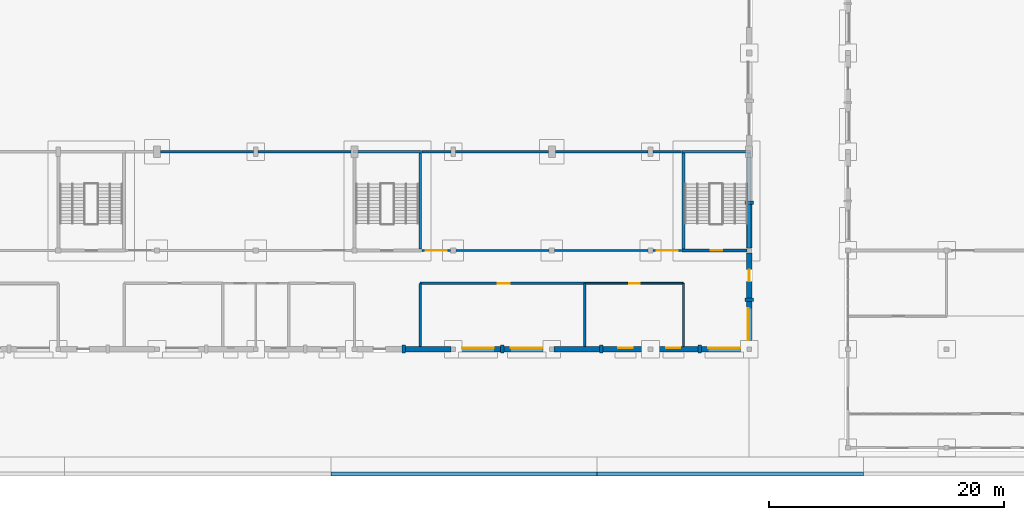
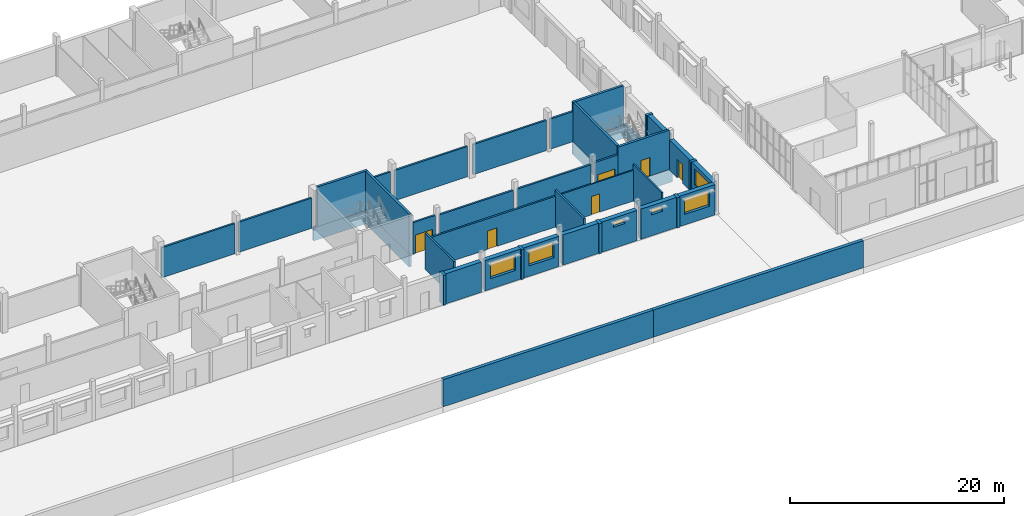
# One storey, part 21 of 36: 44 walls, 6 doors, 6 windows, 12 openings.
"""IFC4 building model written with IfcOpenShell, lengths in metres."""

from ifc_helpers import new_model, si_unit, direction, frame, frame_2d, origin, place, context, subcontext, project, spatial, rectangle, extrude, material, layer, layer_set, type_object, element, fill, save


model = new_model("IFC4")

# Units and contexts
model_context = context("Model", 3, precision=1e-05, world=origin(), true_north=direction((0.0, 1.0)))
body_context = subcontext(model_context, "Body", "Model", "MODEL_VIEW")
ifc_project = project(units=[si_unit("LENGTHUNIT", "METRE"), si_unit("AREAUNIT", "SQUARE_METRE"), si_unit("VOLUMEUNIT", "CUBIC_METRE"), si_unit("PLANEANGLEUNIT", "RADIAN"), si_unit("MASSUNIT", "GRAM", prefix="KILO")], contexts=[model_context])

# Site, building, storey
site_placement = place(None, origin())
site = spatial("IfcSite", under=ifc_project, at=site_placement, CompositionType="ELEMENT")
building_placement = place(site_placement, origin())
building = spatial("IfcBuilding", under=site, at=building_placement, Name="Fescue Hill Polytechnic", CompositionType="ELEMENT")
storey_placement = place(building_placement, origin())
storey = spatial("IfcBuildingStorey", under=building, at=storey_placement, Name="L00", CompositionType="ELEMENT", Elevation=0.0)

# Wall, opening, door
ifc_material_1 = material(Name="Concrete 40 MPa", Category="concrete")
ifc_layer_1 = layer(ifc_material_1, 0.25)
ifc_layer_set_1 = layer_set([ifc_layer_1], Name="Concrete 40 MPa")
wall_type_1 = type_object("IfcWallType", Name="Core wall 250", PredefinedType="SHEAR", material=ifc_layer_set_1)
wall_1_placement = place(storey_placement, frame((111.875, 8.39990234375, 0.0), z_axis=(0.0, 0.0, 1.0), x_axis=(1.0, 0.0, 0.0)))
wall_1 = element("IfcWall", 1, at=wall_1_placement, inside=storey, type_object=wall_type_1, Name="CW-L00-ST-V1-10-11", PredefinedType="SHEAR", context=body_context, shape_type="SweptSolid", body=[
    extrude(rectangle(XDim=5.52490234375, YDim=0.25, at=frame_2d((2.762451171875, 0.0))), origin(), (0.0, 0.0, 1.0), 4.5),
])
opening_1_placement = place(wall_1_placement, frame((2.449951171875, 0.0, 0.0)))
opening_1 = element("IfcOpeningElement", 2, at=opening_1_placement, cuts=wall_1, Name="Opening D0074", PredefinedType="OPENING", context=body_context, shape_type="SweptSolid", body=[
    extrude(rectangle(XDim=1.0, YDim=2.10009765625, at=frame_2d((0.5, 1.050048828125))), frame((0.0, 0.135009765625, 0.0), z_axis=(0.0, -1.0, 0.0), x_axis=(1.0, 0.0, 0.0)), (0.0, 0.0, 1.0), 0.27001953125),
])
ifc_material_2 = material(Name="Steel fire door", Category="steel")
door_type_1 = type_object("IfcDoorType", Name="Door single swing 1000x2100 stair fire rated", OperationType="NOTDEFINED", PredefinedType="DOOR", material=ifc_material_2)
door_1_placement = place(opening_1_placement, origin())
door_1 = element("IfcDoor", 3, at=door_1_placement, inside=storey, type_object=door_type_1, Name="L00 ST-V1-10 stair door", OperationType="SINGLE_SWING_RIGHT", OverallHeight=2.10009765625, OverallWidth=1.0, PredefinedType="DOOR", context=body_context, shape_type="SweptSolid", body=[
    extrude(rectangle(XDim=1.0, YDim=2.10009765625, at=frame_2d((0.5, 1.050048828125))), frame((0.0, 0.02490234375, 0.0), z_axis=(0.0, -1.0, 0.0), x_axis=(1.0, 0.0, 0.0)), (0.0, 0.0, 1.0), 0.050048828125),
])
fill(opening_1, door_1)

# Walls
wall_2_placement = place(storey_placement, frame((111.875, 16.800048828125, 0.0), z_axis=(0.0, 0.0, 1.0), x_axis=(1.0, 0.0, 0.0)))
element("IfcWall", 4, at=wall_2_placement, inside=storey, type_object=wall_type_1, Name="CW-L00-ST-V1-10-21", PredefinedType="SHEAR", context=body_context, shape_type="SweptSolid", body=[
    extrude(rectangle(XDim=5.425048828125, YDim=0.25, at=frame_2d((2.71240234375, 0.0))), origin(), (0.0, 0.0, 1.0), 4.5),
])
wall_3_placement = place(storey_placement, frame((112.0, 8.52490234375, 0.0), z_axis=(0.0, 0.0, 1.0), x_axis=(0.0, 1.0, 0.0)))
element("IfcWall", 5, at=wall_3_placement, inside=storey, type_object=wall_type_1, Name="CW-L00-ST-V1-10-31", PredefinedType="SHEAR", context=body_context, shape_type="SweptSolid", body=[
    extrude(rectangle(XDim=8.150146484375, YDim=0.25, at=frame_2d((4.0751953125, 0.0))), origin(), (0.0, 0.0, 1.0), 4.5),
])
wall_4_placement = place(storey_placement, frame((84.300048828125, 16.800048828125, 0.0), z_axis=(0.0, 0.0, 1.0), x_axis=(1.0, 0.0, 0.0)))
element("IfcWall", 6, at=wall_4_placement, inside=storey, type_object=wall_type_1, Name="CW-L00-ST-V1-4-21", PredefinedType="SHEAR", context=body_context, shape_type="SweptSolid", body=[
    extrude(rectangle(XDim=5.425048828125, YDim=0.25, at=frame_2d((2.71240234375, 0.0))), origin(), (0.0, 0.0, 1.0), 4.5),
])
wall_5_placement = place(storey_placement, frame((89.60009765625, 8.52490234375, 0.0), z_axis=(0.0, 0.0, 1.0), x_axis=(0.0, 1.0, 0.0)))
element("IfcWall", 7, at=wall_5_placement, inside=storey, type_object=wall_type_1, Name="CW-L00-ST-V1-4-41", PredefinedType="SHEAR", context=body_context, shape_type="SweptSolid", body=[
    extrude(rectangle(XDim=8.150146484375, YDim=0.25, at=frame_2d((4.0751953125, 0.0))), origin(), (0.0, 0.0, 1.0), 4.5),
])
for number, where, z_axis, x_axis, name in (
    (8, (111.875, 8.39990234375, -1.5), (0.0, 0.0, 1.0), (1.0, 0.0, 0.0), "FW-ST-V1-10-1"),
    (9, (111.875, 16.800048828125, -1.5), (0.0, 0.0, 1.0), (1.0, 0.0, 0.0), "FW-ST-V1-10-2"),
):
    element("IfcWall", number, at=place(storey_placement, frame(where, z_axis=z_axis, x_axis=x_axis)), inside=storey, type_object=wall_type_1, Name=name, PredefinedType="SHEAR", context=body_context, shape_type="SweptSolid", body=[
        extrude(rectangle(XDim=5.85009765625, YDim=0.25, at=frame_2d((2.925048828125, 0.0))), origin(), (0.0, 0.0, 1.0), 1.5),
    ])
for number, where, z_axis, x_axis, name in (
    (10, (112.0, 8.52490234375, -1.5), (0.0, 0.0, 1.0), (0.0, 1.0, 0.0), "FW-ST-V1-10-3"),
    (11, (117.60009765625, 8.52490234375, -1.5), (0.0, 0.0, 1.0), (0.0, 1.0, 0.0), "FW-ST-V1-10-4"),
):
    element("IfcWall", number, at=place(storey_placement, frame(where, z_axis=z_axis, x_axis=x_axis)), inside=storey, type_object=wall_type_1, Name=name, PredefinedType="SHEAR", context=body_context, shape_type="SweptSolid", body=[
        extrude(rectangle(XDim=8.150146484375, YDim=0.25, at=frame_2d((4.0751953125, 0.0))), origin(), (0.0, 0.0, 1.0), 1.5),
    ])
wall_6_placement = place(storey_placement, frame((83.875, 16.800048828125, -1.5), z_axis=(0.0, 0.0, 1.0), x_axis=(1.0, 0.0, 0.0)))
element("IfcWall", 12, at=wall_6_placement, inside=storey, type_object=wall_type_1, Name="FW-ST-V1-4-2", PredefinedType="SHEAR", context=body_context, shape_type="SweptSolid", body=[
    extrude(rectangle(XDim=5.85009765625, YDim=0.25, at=frame_2d((2.925048828125, 0.0))), origin(), (0.0, 0.0, 1.0), 1.5),
])
wall_7_placement = place(storey_placement, frame((89.60009765625, 8.52490234375, -1.5), z_axis=(0.0, 0.0, 1.0), x_axis=(0.0, 1.0, 0.0)))
element("IfcWall", 13, at=wall_7_placement, inside=storey, type_object=wall_type_1, Name="FW-ST-V1-4-4", PredefinedType="SHEAR", context=body_context, shape_type="SweptSolid", body=[
    extrude(rectangle(XDim=8.150146484375, YDim=0.25, at=frame_2d((4.0751953125, 0.0))), origin(), (0.0, 0.0, 1.0), 1.5),
])

# Wall, opening, door
ifc_material_3 = material(Name="Gypsum board partition")
ifc_layer_2 = layer(ifc_material_3, 0.14990234375)
ifc_layer_set_2 = layer_set([ifc_layer_2], Name="Gypsum board partition")
wall_type_2 = type_object("IfcWallType", Name="Corridor wall 150 EI 45", PredefinedType="PARTITIONING", material=ifc_layer_set_2)
wall_8_placement = place(storey_placement, frame((103.60009765625, 5.60009765625, 0.0), z_axis=(0.0, 0.0, 1.0), x_axis=(1.0, 0.0, 0.0)))
wall_8 = element("IfcWall", 14, at=wall_8_placement, inside=storey, type_object=wall_type_2, Name="IW-L00-003", PredefinedType="PARTITIONING", context=body_context, shape_type="SweptSolid", body=[
    extrude(rectangle(XDim=8.39990234375, YDim=0.14990234375, at=frame_2d((4.199951171875, 0.0))), origin(), (0.0, 0.0, 1.0), 3.5),
])
opening_2_placement = place(wall_8_placement, frame((3.800048828125, 0.0, 0.0)))
opening_2 = element("IfcOpeningElement", 15, at=opening_2_placement, cuts=wall_8, Name="Opening D0037", PredefinedType="OPENING", context=body_context, shape_type="SweptSolid", body=[
    extrude(rectangle(XDim=0.89990234375, YDim=2.10009765625, at=frame_2d((0.449951171875, 1.050048828125))), frame((0.0, 0.0849609375, 0.0), z_axis=(0.0, -1.0, 0.0), x_axis=(1.0, 0.0, 0.0)), (0.0, 0.0, 1.0), 0.169921875),
])
ifc_material_4 = material(Name="Timber", Category="wood")
door_type_2 = type_object("IfcDoorType", Name="Door single swing 900x2100 FD30S", OperationType="SINGLE_SWING_LEFT", PredefinedType="DOOR", material=ifc_material_4)
door_2_placement = place(opening_2_placement, origin())
door_2 = element("IfcDoor", 16, at=door_2_placement, inside=storey, type_object=door_type_2, Name="Door D0037", OperationType="SINGLE_SWING_RIGHT", OverallHeight=2.10009765625, OverallWidth=0.89990234375, PredefinedType="DOOR", context=body_context, shape_type="SweptSolid", body=[
    extrude(rectangle(XDim=0.89990234375, YDim=2.10009765625, at=frame_2d((0.449951171875, 1.050048828125))), frame((0.0, 0.02490234375, 0.0), z_axis=(0.0, -1.0, 0.0), x_axis=(1.0, 0.0, 0.0)), (0.0, 0.0, 1.0), 0.050048828125),
])
fill(opening_2, door_2)

# Wall
wall_9_placement = place(storey_placement, frame((112.0, 0.239990234375, 0.0), z_axis=(0.0, 0.0, 1.0), x_axis=(0.0, 1.0, 0.0)))
element("IfcWall", 17, at=wall_9_placement, inside=storey, type_object=wall_type_2, Name="IW-L00-092", PredefinedType="PARTITIONING", context=body_context, shape_type="SweptSolid", body=[
    extrude(rectangle(XDim=5.360107421875, YDim=0.14990234375, at=frame_2d((2.68017578125, 0.0))), origin(), (0.0, 0.0, 1.0), 4.14990234375),
])

# Wall, opening, window
ifc_material_5 = material(Name="Clay brick masonry", Category="masonry")
ifc_layer_3 = layer(ifc_material_5, 0.47998046875)
ifc_layer_set_3 = layer_set([ifc_layer_3], Name="Clay brick masonry")
wall_type_3 = type_object("IfcWallType", Name="Exterior wall engineering brick cavity 480", PredefinedType="SOLIDWALL", material=ifc_layer_set_3)
wall_10_placement = place(storey_placement, frame((117.60009765625, 0.199951171875, 0.0), z_axis=(0.0, 0.0, 1.0), x_axis=(0.0, 1.0, 0.0)))
wall_10 = element("IfcWall", 18, at=wall_10_placement, inside=storey, type_object=wall_type_3, Name="EW-L00-V1-1", PredefinedType="SOLIDWALL", context=body_context, shape_type="SweptSolid", body=[
    extrude(rectangle(XDim=3.85009765625, YDim=0.47998046875, at=frame_2d((1.925048828125, 0.0))), origin(), (0.0, 0.0, 1.0), 3.449951171875),
])
opening_3_placement = place(wall_10_placement, frame((0.574951171875, 0.0, 1.199951171875)))
opening_3 = element("IfcOpeningElement", 19, at=opening_3_placement, cuts=wall_10, Name="Opening W15", PredefinedType="OPENING", context=body_context, shape_type="SweptSolid", body=[
    extrude(rectangle(XDim=2.699951171875, YDim=1.800048828125, at=frame_2d((1.35009765625, 0.89990234375))), frame((0.0, 0.25, 0.0), z_axis=(0.0, -1.0, 0.0), x_axis=(1.0, 0.0, 0.0)), (0.0, 0.0, 1.0), 0.5),
])
ifc_material_6 = material(Name="Powder-coated aluminium and glass", Category="aluminium")
window_type_1 = type_object("IfcWindowType", Name="Window workshop bench-level 2700x1800", PartitioningType="TRIPLE_PANEL_VERTICAL", PredefinedType="WINDOW", material=ifc_material_6)
window_1_placement = place(opening_3_placement, origin())
window_1 = element("IfcWindow", 20, at=window_1_placement, inside=storey, type_object=window_type_1, Name="WN-L00-V1-1", OverallHeight=1.800048828125, OverallWidth=2.699951171875, PartitioningType="SINGLE_PANEL", PredefinedType="WINDOW", context=body_context, shape_type="SweptSolid", body=[
    extrude(rectangle(XDim=2.699951171875, YDim=1.800048828125, at=frame_2d((1.35009765625, 0.89990234375))), frame((0.0, 0.1201171875, 0.0), z_axis=(0.0, -1.0, 0.0), x_axis=(1.0, 0.0, 0.0)), (0.0, 0.0, 1.0), 0.06005859375),
])
fill(opening_3, window_1)

# Wall, opening, door
wall_11_placement = place(storey_placement, frame((117.60009765625, 4.35009765625, 0.0), z_axis=(0.0, 0.0, 1.0), x_axis=(0.0, 1.0, 0.0)))
wall_11 = element("IfcWall", 21, at=wall_11_placement, inside=storey, type_object=wall_type_3, Name="EW-L00-V1-2", PredefinedType="SOLIDWALL", context=body_context, shape_type="SweptSolid", body=[
    extrude(rectangle(XDim=3.849853515625, YDim=0.47998046875, at=frame_2d((1.9248046875, 0.0))), origin(), (0.0, 0.0, 1.0), 3.449951171875),
])
opening_4_placement = place(wall_11_placement, frame((2.425048828125, 0.0, 0.0), z_axis=(0.0, 0.0, 1.0), x_axis=(-1.0, 0.0, 0.0)))
opening_4 = element("IfcOpeningElement", 22, at=opening_4_placement, cuts=wall_11, Name="Opening D0001", PredefinedType="OPENING", context=body_context, shape_type="SweptSolid", body=[
    extrude(rectangle(XDim=1.0, YDim=2.10009765625, at=frame_2d((0.5, 1.050048828125))), frame((0.0, 0.25, 0.0), z_axis=(0.0, -1.0, 0.0), x_axis=(1.0, 0.0, 0.0)), (0.0, 0.0, 1.0), 0.5),
])
ifc_material_7 = material(Name="Hollow metal")
door_type_3 = type_object("IfcDoorType", Name="Door exit single 1000x2100 fire rated", OperationType="SINGLE_SWING_LEFT", PredefinedType="DOOR", material=ifc_material_7)
door_3_placement = place(opening_4_placement, origin())
door_3 = element("IfcDoor", 23, at=door_3_placement, inside=storey, type_object=door_type_3, Name="Door D0001", OperationType="SINGLE_SWING_LEFT", OverallHeight=2.10009765625, OverallWidth=1.0, PredefinedType="DOOR", context=body_context, shape_type="SweptSolid", body=[
    extrude(rectangle(XDim=1.0, YDim=2.10009765625, at=frame_2d((0.5, 1.050048828125))), frame((0.0, 0.02490234375, 0.0), z_axis=(0.0, -1.0, 0.0), x_axis=(1.0, 0.0, 0.0)), (0.0, 0.0, 1.0), 0.050048828125),
])
fill(opening_4, door_3)

# Wall
wall_12_placement = place(storey_placement, frame((88.35009765625, 0.0, 0.0), z_axis=(0.0, 0.0, 1.0), x_axis=(1.0, 0.0, 0.0)))
element("IfcWall", 24, at=wall_12_placement, inside=storey, type_object=wall_type_3, Name="EW-L00-V1-44", PredefinedType="SOLIDWALL", context=body_context, shape_type="SweptSolid", body=[
    extrude(rectangle(XDim=3.849853515625, YDim=0.47998046875, at=frame_2d((1.9248046875, 0.0))), origin(), (0.0, 0.0, 1.0), 3.449951171875),
])

# Wall, opening, window
wall_13_placement = place(storey_placement, frame((92.60009765625, 0.0, 0.0), z_axis=(0.0, 0.0, 1.0), x_axis=(1.0, 0.0, 0.0)))
wall_13 = element("IfcWall", 25, at=wall_13_placement, inside=storey, type_object=wall_type_3, Name="EW-L00-V1-45", PredefinedType="SOLIDWALL", context=body_context, shape_type="SweptSolid", body=[
    extrude(rectangle(XDim=3.849853515625, YDim=0.47998046875, at=frame_2d((1.9248046875, 0.0))), origin(), (0.0, 0.0, 1.0), 3.449951171875),
])
opening_5_placement = place(wall_13_placement, frame((0.574951171875, 0.0, 1.199951171875)))
opening_5 = element("IfcOpeningElement", 26, at=opening_5_placement, cuts=wall_13, Name="Opening W15", PredefinedType="OPENING", context=body_context, shape_type="SweptSolid", body=[
    extrude(rectangle(XDim=2.699951171875, YDim=1.800048828125, at=frame_2d((1.35009765625, 0.89990234375))), frame((0.0, 0.25, 0.0), z_axis=(0.0, -1.0, 0.0), x_axis=(1.0, 0.0, 0.0)), (0.0, 0.0, 1.0), 0.5),
])
window_2_placement = place(opening_5_placement, origin())
window_2 = element("IfcWindow", 27, at=window_2_placement, inside=storey, type_object=window_type_1, Name="WN-L00-V1-22", OverallHeight=1.800048828125, OverallWidth=2.699951171875, PartitioningType="SINGLE_PANEL", PredefinedType="WINDOW", context=body_context, shape_type="SweptSolid", body=[
    extrude(rectangle(XDim=2.699951171875, YDim=1.800048828125, at=frame_2d((1.35009765625, 0.89990234375))), frame((0.0, 0.1201171875, 0.0), z_axis=(0.0, -1.0, 0.0), x_axis=(1.0, 0.0, 0.0)), (0.0, 0.0, 1.0), 0.06005859375),
])
fill(opening_5, window_2)

wall_14_placement = place(storey_placement, frame((96.75, 0.0, 0.0), z_axis=(0.0, 0.0, 1.0), x_axis=(1.0, 0.0, 0.0)))
wall_14 = element("IfcWall", 28, at=wall_14_placement, inside=storey, type_object=wall_type_3, Name="EW-L00-V1-46", PredefinedType="SOLIDWALL", context=body_context, shape_type="SweptSolid", body=[
    extrude(rectangle(XDim=3.85009765625, YDim=0.47998046875, at=frame_2d((1.925048828125, 0.0))), origin(), (0.0, 0.0, 1.0), 3.449951171875),
])
opening_6_placement = place(wall_14_placement, frame((0.574951171875, 0.0, 1.199951171875)))
opening_6 = element("IfcOpeningElement", 29, at=opening_6_placement, cuts=wall_14, Name="Opening W15", PredefinedType="OPENING", context=body_context, shape_type="SweptSolid", body=[
    extrude(rectangle(XDim=2.699951171875, YDim=1.800048828125, at=frame_2d((1.35009765625, 0.89990234375))), frame((0.0, 0.25, 0.0), z_axis=(0.0, -1.0, 0.0), x_axis=(1.0, 0.0, 0.0)), (0.0, 0.0, 1.0), 0.5),
])
window_3_placement = place(opening_6_placement, origin())
window_3 = element("IfcWindow", 30, at=window_3_placement, inside=storey, type_object=window_type_1, Name="WN-L00-V1-23", OverallHeight=1.800048828125, OverallWidth=2.699951171875, PartitioningType="SINGLE_PANEL", PredefinedType="WINDOW", context=body_context, shape_type="SweptSolid", body=[
    extrude(rectangle(XDim=2.699951171875, YDim=1.800048828125, at=frame_2d((1.35009765625, 0.89990234375))), frame((0.0, 0.1201171875, 0.0), z_axis=(0.0, -1.0, 0.0), x_axis=(1.0, 0.0, 0.0)), (0.0, 0.0, 1.0), 0.06005859375),
])
fill(opening_6, window_3)

# Wall
wall_15_placement = place(storey_placement, frame((101.0, 0.0, 0.0), z_axis=(0.0, 0.0, 1.0), x_axis=(1.0, 0.0, 0.0)))
element("IfcWall", 31, at=wall_15_placement, inside=storey, type_object=wall_type_3, Name="EW-L00-V1-47", PredefinedType="SOLIDWALL", context=body_context, shape_type="SweptSolid", body=[
    extrude(rectangle(XDim=3.85009765625, YDim=0.47998046875, at=frame_2d((1.925048828125, 0.0))), origin(), (0.0, 0.0, 1.0), 3.449951171875),
])

# Wall, opening, window
wall_16_placement = place(storey_placement, frame((105.14990234375, 0.0, 0.0), z_axis=(0.0, 0.0, 1.0), x_axis=(1.0, 0.0, 0.0)))
wall_16 = element("IfcWall", 32, at=wall_16_placement, inside=storey, type_object=wall_type_3, Name="EW-L00-V1-48", PredefinedType="SOLIDWALL", context=body_context, shape_type="SweptSolid", body=[
    extrude(rectangle(XDim=3.85009765625, YDim=0.47998046875, at=frame_2d((1.925048828125, 0.0))), origin(), (0.0, 0.0, 1.0), 3.449951171875),
])
opening_7_placement = place(wall_16_placement, frame((1.324951171875, 0.0, 2.39990234375)))
opening_7 = element("IfcOpeningElement", 33, at=opening_7_placement, cuts=wall_16, Name="Opening W12", PredefinedType="OPENING", context=body_context, shape_type="SweptSolid", body=[
    extrude(rectangle(XDim=1.199951171875, YDim=0.60009765625, at=frame_2d((0.60009765625, 0.300048828125))), frame((0.0, 0.25, 0.0), z_axis=(0.0, -1.0, 0.0), x_axis=(1.0, 0.0, 0.0)), (0.0, 0.0, 1.0), 0.5),
])
window_type_2 = type_object("IfcWindowType", Name="Window plant and store high-level 1200x600", PartitioningType="SINGLE_PANEL", PredefinedType="WINDOW", material=ifc_material_6)
window_4_placement = place(opening_7_placement, origin())
window_4 = element("IfcWindow", 34, at=window_4_placement, inside=storey, type_object=window_type_2, Name="WN-L00-V1-24", OverallHeight=0.60009765625, OverallWidth=1.199951171875, PartitioningType="SINGLE_PANEL", PredefinedType="WINDOW", context=body_context, shape_type="SweptSolid", body=[
    extrude(rectangle(XDim=1.199951171875, YDim=0.60009765625, at=frame_2d((0.60009765625, 0.300048828125))), frame((0.0, 0.1201171875, 0.0), z_axis=(0.0, -1.0, 0.0), x_axis=(1.0, 0.0, 0.0)), (0.0, 0.0, 1.0), 0.06005859375),
])
fill(opening_7, window_4)

wall_17_placement = place(storey_placement, frame((109.39990234375, 0.0, 0.0), z_axis=(0.0, 0.0, 1.0), x_axis=(1.0, 0.0, 0.0)))
wall_17 = element("IfcWall", 35, at=wall_17_placement, inside=storey, type_object=wall_type_3, Name="EW-L00-V1-49", PredefinedType="SOLIDWALL", context=body_context, shape_type="SweptSolid", body=[
    extrude(rectangle(XDim=3.85009765625, YDim=0.47998046875, at=frame_2d((1.925048828125, 0.0))), origin(), (0.0, 0.0, 1.0), 3.449951171875),
])
opening_8_placement = place(wall_17_placement, frame((1.14990234375, 0.0, 2.39990234375)))
opening_8 = element("IfcOpeningElement", 36, at=opening_8_placement, cuts=wall_17, Name="Opening W12", PredefinedType="OPENING", context=body_context, shape_type="SweptSolid", body=[
    extrude(rectangle(XDim=1.199951171875, YDim=0.60009765625, at=frame_2d((0.60009765625, 0.300048828125))), frame((0.0, 0.25, 0.0), z_axis=(0.0, -1.0, 0.0), x_axis=(1.0, 0.0, 0.0)), (0.0, 0.0, 1.0), 0.5),
])
window_5_placement = place(opening_8_placement, origin())
window_5 = element("IfcWindow", 37, at=window_5_placement, inside=storey, type_object=window_type_2, Name="WN-L00-V1-25", OverallHeight=0.60009765625, OverallWidth=1.199951171875, PartitioningType="SINGLE_PANEL", PredefinedType="WINDOW", context=body_context, shape_type="SweptSolid", body=[
    extrude(rectangle(XDim=1.199951171875, YDim=0.60009765625, at=frame_2d((0.60009765625, 0.300048828125))), frame((0.0, 0.1201171875, 0.0), z_axis=(0.0, -1.0, 0.0), x_axis=(1.0, 0.0, 0.0)), (0.0, 0.0, 1.0), 0.06005859375),
])
fill(opening_8, window_5)

wall_18_placement = place(storey_placement, frame((113.550048828125, 0.0, 0.0), z_axis=(0.0, 0.0, 1.0), x_axis=(1.0, 0.0, 0.0)))
wall_18 = element("IfcWall", 38, at=wall_18_placement, inside=storey, type_object=wall_type_3, Name="EW-L00-V1-50", PredefinedType="SOLIDWALL", context=body_context, shape_type="SweptSolid", body=[
    extrude(rectangle(XDim=3.849853515625, YDim=0.47998046875, at=frame_2d((1.9248046875, 0.0))), origin(), (0.0, 0.0, 1.0), 3.449951171875),
])
opening_9_placement = place(wall_18_placement, frame((0.574951171875, 0.0, 1.199951171875)))
opening_9 = element("IfcOpeningElement", 39, at=opening_9_placement, cuts=wall_18, Name="Opening W15", PredefinedType="OPENING", context=body_context, shape_type="SweptSolid", body=[
    extrude(rectangle(XDim=2.699951171875, YDim=1.800048828125, at=frame_2d((1.35009765625, 0.89990234375))), frame((0.0, 0.25, 0.0), z_axis=(0.0, -1.0, 0.0), x_axis=(1.0, 0.0, 0.0)), (0.0, 0.0, 1.0), 0.5),
])
window_6_placement = place(opening_9_placement, origin())
window_6 = element("IfcWindow", 40, at=window_6_placement, inside=storey, type_object=window_type_1, Name="WN-L00-V1-26", OverallHeight=1.800048828125, OverallWidth=2.699951171875, PartitioningType="SINGLE_PANEL", PredefinedType="WINDOW", context=body_context, shape_type="SweptSolid", body=[
    extrude(rectangle(XDim=2.699951171875, YDim=1.800048828125, at=frame_2d((1.35009765625, 0.89990234375))), frame((0.0, 0.1201171875, 0.0), z_axis=(0.0, -1.0, 0.0), x_axis=(1.0, 0.0, 0.0)), (0.0, 0.0, 1.0), 0.06005859375),
])
fill(opening_9, window_6)

# Walls
ifc_layer_4 = layer(ifc_material_5, 0.47998046875)
ifc_layer_set_4 = layer_set([ifc_layer_4], Name="Clay brick masonry")
wall_type_4 = type_object("IfcWallType", Name="Exterior wall engineering brick cavity 480 load-bearing", PredefinedType="SOLIDWALL", material=ifc_layer_set_4)
wall_19_placement = place(storey_placement, frame((117.60009765625, 8.60009765625, 0.0), z_axis=(0.0, 0.0, 1.0), x_axis=(0.0, 1.0, 0.0)))
element("IfcWall", 41, at=wall_19_placement, inside=storey, type_object=wall_type_4, Name="EW-L00-V1-3", PredefinedType="SOLIDWALL", context=body_context, shape_type="SweptSolid", body=[
    extrude(rectangle(XDim=3.699951171875, YDim=0.47998046875, at=frame_2d((1.85009765625, 0.0))), origin(), (0.0, 0.0, 1.0), 3.75),
])
ifc_layer_5 = layer(ifc_material_1, 0.699951171875)
ifc_layer_set_5 = layer_set([ifc_layer_5], Name="Concrete 40 MPa")
wall_type_5 = type_object("IfcWallType", Name="Fin wall board-marked 300x700", PredefinedType="SOLIDWALL", material=ifc_layer_set_5)
for number, where, z_axis, x_axis, name in (
    (42, (117.60009765625, 4.050048828125, 0.0), (0.0, 0.0, 1.0), (0.0, 1.0, 0.0), "PR-L00-V1-1"),
    (43, (88.050048828125, 0.0, 0.0), (0.0, 0.0, 1.0), (1.0, 0.0, 0.0), "PR-L00-V1-21"),
    (44, (96.449951171875, 0.0, 0.0), (0.0, 0.0, 1.0), (1.0, 0.0, 0.0), "PR-L00-V1-22"),
):
    element("IfcWall", number, at=place(storey_placement, frame(where, z_axis=z_axis, x_axis=x_axis)), inside=storey, type_object=wall_type_5, Name=name, PredefinedType="SOLIDWALL", context=body_context, shape_type="SweptSolid", body=[
        extrude(rectangle(XDim=0.300048828125, YDim=0.699951171875, at=frame_2d((0.14990234375, 0.0))), origin(), (0.0, 0.0, 1.0), 3.449951171875),
    ])
wall_20_placement = place(storey_placement, frame((104.85009765625, 0.0, 0.0), z_axis=(0.0, 0.0, 1.0), x_axis=(1.0, 0.0, 0.0)))
element("IfcWall", 45, at=wall_20_placement, inside=storey, type_object=wall_type_5, Name="PR-L00-V1-23", PredefinedType="SOLIDWALL", context=body_context, shape_type="SweptSolid", body=[
    extrude(rectangle(XDim=0.2998046875, YDim=0.699951171875, at=frame_2d((0.14990234375, 0.0))), origin(), (0.0, 0.0, 1.0), 3.449951171875),
])
wall_21_placement = place(storey_placement, frame((113.25, 0.0, 0.0), z_axis=(0.0, 0.0, 1.0), x_axis=(1.0, 0.0, 0.0)))
element("IfcWall", 46, at=wall_21_placement, inside=storey, type_object=wall_type_5, Name="PR-L00-V1-24", PredefinedType="SOLIDWALL", context=body_context, shape_type="SweptSolid", body=[
    extrude(rectangle(XDim=0.300048828125, YDim=0.699951171875, at=frame_2d((0.14990234375, 0.0))), origin(), (0.0, 0.0, 1.0), 3.449951171875),
])
ifc_layer_6 = layer(ifc_material_1, 0.699951171875)
ifc_layer_set_6 = layer_set([ifc_layer_6], Name="Concrete 40 MPa")
wall_type_6 = type_object("IfcWallType", Name="Fin wall board-marked 300x700 load-bearing", PredefinedType="SOLIDWALL", material=ifc_layer_set_6)
wall_22_placement = place(storey_placement, frame((117.60009765625, 12.300048828125, 0.0), z_axis=(0.0, 0.0, 1.0), x_axis=(0.0, 1.0, 0.0)))
element("IfcWall", 47, at=wall_22_placement, inside=storey, type_object=wall_type_6, Name="PR-L00-V1-2", PredefinedType="SOLIDWALL", context=body_context, shape_type="SweptSolid", body=[
    extrude(rectangle(XDim=0.300048828125, YDim=0.699951171875, at=frame_2d((0.14990234375, 0.0))), origin(), (0.0, 0.0, 1.0), 3.75),
])
ifc_material_8 = material(Name="Concrete 35 MPa", Category="concrete")
ifc_layer_7 = layer(ifc_material_8, 0.35009765625)
ifc_layer_set_7 = layer_set([ifc_layer_7], Name="Concrete 35 MPa")
wall_type_7 = type_object("IfcWallType", Name="Retaining wall 350", PredefinedType="SOLIDWALL", material=ifc_layer_set_7)
wall_23_placement = place(storey_placement, frame((82.0, -10.617919921875, -3.10009765625), z_axis=(0.0, 0.0, 1.0), x_axis=(1.0, 0.0, 0.0)))
element("IfcWall", 48, at=wall_23_placement, inside=storey, type_object=wall_type_7, Name="RT-PW35", PredefinedType="SOLIDWALL", context=body_context, shape_type="SweptSolid", body=[
    extrude(rectangle(XDim=22.660888671875, YDim=0.35009765625, at=frame_2d((11.33056640625, 0.0))), origin(), (0.0, 0.0, 1.0), 3.10009765625),
])
wall_24_placement = place(storey_placement, frame((104.660888671875, -10.617919921875, -3.10009765625), z_axis=(0.0, 0.0, 1.0), x_axis=(1.0, 0.0, 0.0)))
element("IfcWall", 49, at=wall_24_placement, inside=storey, type_object=wall_type_7, Name="RT-PW36", PredefinedType="SOLIDWALL", context=body_context, shape_type="SweptSolid", body=[
    extrude(rectangle(XDim=22.66064453125, YDim=0.35009765625, at=frame_2d((11.330322265625, 0.0))), origin(), (0.0, 0.0, 1.0), 3.10009765625),
])

# Wall, opening, door
ifc_material_9 = material(Name="Concrete masonry block 15 MPa", Category="masonry")
ifc_layer_8 = layer(ifc_material_9, 0.199951171875)
ifc_layer_set_8 = layer_set([ifc_layer_8], Name="Concrete masonry block 15 MPa")
wall_type_8 = type_object("IfcWallType", Name="Workshop wall 200 block EI 60", PredefinedType="PARTITIONING", material=ifc_layer_set_8)
wall_25_placement = place(storey_placement, frame((89.60009765625, 5.60009765625, 0.0), z_axis=(0.0, 0.0, 1.0), x_axis=(1.0, 0.0, 0.0)))
wall_25 = element("IfcWall", 50, at=wall_25_placement, inside=storey, type_object=wall_type_8, Name="IW-L00-009", PredefinedType="PARTITIONING", context=body_context, shape_type="SweptSolid", body=[
    extrude(rectangle(XDim=14.0, YDim=0.199951171875, at=frame_2d((7.0, 0.0))), origin(), (0.0, 0.0, 1.0), 3.5),
])
opening_10_placement = place(wall_25_placement, frame((6.60009765625, 0.0, 0.0)))
opening_10 = element("IfcOpeningElement", 51, at=opening_10_placement, cuts=wall_25, Name="Opening D0036", PredefinedType="OPENING", context=body_context, shape_type="SweptSolid", body=[
    extrude(rectangle(XDim=1.0, YDim=2.10009765625, at=frame_2d((0.5, 1.050048828125))), frame((0.0, 0.10986328125, 0.0), z_axis=(0.0, -1.0, 0.0), x_axis=(1.0, 0.0, 0.0)), (0.0, 0.0, 1.0), 0.219970703125),
])
ifc_material_10 = material(Name="Steel", Category="steel")
door_type_4 = type_object("IfcDoorType", Name="Door single swing 1000x2100 FD60", OperationType="SINGLE_SWING_LEFT", PredefinedType="DOOR", material=ifc_material_10)
door_4_placement = place(opening_10_placement, origin())
door_4 = element("IfcDoor", 52, at=door_4_placement, inside=storey, type_object=door_type_4, Name="Door D0036", OperationType="SINGLE_SWING_RIGHT", OverallHeight=2.10009765625, OverallWidth=1.0, PredefinedType="DOOR", context=body_context, shape_type="SweptSolid", body=[
    extrude(rectangle(XDim=1.0, YDim=2.10009765625, at=frame_2d((0.5, 1.050048828125))), frame((0.0, 0.02490234375, 0.0), z_axis=(0.0, -1.0, 0.0), x_axis=(1.0, 0.0, 0.0)), (0.0, 0.0, 1.0), 0.050048828125),
])
fill(opening_10, door_4)

wall_26_placement = place(storey_placement, frame((89.75, 8.39990234375, 0.0), z_axis=(0.0, 0.0, 1.0), x_axis=(1.0, 0.0, 0.0)))
wall_26 = element("IfcWall", 53, at=wall_26_placement, inside=storey, type_object=wall_type_8, Name="IW-L00-021", PredefinedType="PARTITIONING", context=body_context, shape_type="SweptSolid", body=[
    extrude(rectangle(XDim=2.425048828125, YDim=0.199951171875, at=frame_2d((1.21240234375, 0.0))), origin(), (0.0, 0.0, 1.0), 3.60009765625),
])
opening_11_placement = place(wall_26_placement, frame((0.300048828125, 0.0, 0.0)))
opening_11 = element("IfcOpeningElement", 54, at=opening_11_placement, cuts=wall_26, Name="Opening D0045", PredefinedType="OPENING", context=body_context, shape_type="SweptSolid", body=[
    extrude(rectangle(XDim=1.800048828125, YDim=2.10009765625, at=frame_2d((0.89990234375, 1.050048828125))), frame((0.0, 0.10986328125, 0.0), z_axis=(0.0, -1.0, 0.0), x_axis=(1.0, 0.0, 0.0)), (0.0, 0.0, 1.0), 0.219970703125),
])
door_type_5 = type_object("IfcDoorType", Name="Door double swing 1800x2100 FD60", OperationType="DOUBLE_DOOR_SINGLE_SWING", PredefinedType="DOOR", material=ifc_material_10)
door_5_placement = place(opening_11_placement, origin())
door_5 = element("IfcDoor", 55, at=door_5_placement, inside=storey, type_object=door_type_5, Name="Door D0045", OperationType="DOUBLE_DOOR_SINGLE_SWING", OverallHeight=2.10009765625, OverallWidth=1.800048828125, PredefinedType="DOOR", context=body_context, shape_type="SweptSolid", body=[
    extrude(rectangle(XDim=1.800048828125, YDim=2.10009765625, at=frame_2d((0.89990234375, 1.050048828125))), frame((0.0, 0.02490234375, 0.0), z_axis=(0.0, -1.0, 0.0), x_axis=(1.0, 0.0, 0.0)), (0.0, 0.0, 1.0), 0.050048828125),
])
fill(opening_11, door_5)

# Walls
wall_27_placement = place(storey_placement, frame((92.625, 8.39990234375, 0.0), z_axis=(0.0, 0.0, 1.0), x_axis=(1.0, 0.0, 0.0)))
element("IfcWall", 56, at=wall_27_placement, inside=storey, type_object=wall_type_8, Name="IW-L00-022", PredefinedType="PARTITIONING", context=body_context, shape_type="SweptSolid", body=[
    extrude(rectangle(XDim=7.949951171875, YDim=0.199951171875, at=frame_2d((3.97509765625, 0.0))), origin(), (0.0, 0.0, 1.0), 3.5),
])
wall_28_placement = place(storey_placement, frame((101.02490234375, 8.39990234375, 0.0), z_axis=(0.0, 0.0, 1.0), x_axis=(1.0, 0.0, 0.0)))
element("IfcWall", 57, at=wall_28_placement, inside=storey, type_object=wall_type_8, Name="IW-L00-023", PredefinedType="PARTITIONING", context=body_context, shape_type="SweptSolid", body=[
    extrude(rectangle(XDim=7.9501953125, YDim=0.199951171875, at=frame_2d((3.97509765625, 0.0))), origin(), (0.0, 0.0, 1.0), 3.5),
])

# Wall, opening, door
wall_29_placement = place(storey_placement, frame((109.425048828125, 8.39990234375, 0.0), z_axis=(0.0, 0.0, 1.0), x_axis=(1.0, 0.0, 0.0)))
wall_29 = element("IfcWall", 58, at=wall_29_placement, inside=storey, type_object=wall_type_8, Name="IW-L00-024", PredefinedType="PARTITIONING", context=body_context, shape_type="SweptSolid", body=[
    extrude(rectangle(XDim=2.425048828125, YDim=0.199951171875, at=frame_2d((1.21240234375, 0.0))), origin(), (0.0, 0.0, 1.0), 3.60009765625),
])
opening_12_placement = place(wall_29_placement, frame((0.300048828125, 0.0, 0.0)))
opening_12 = element("IfcOpeningElement", 59, at=opening_12_placement, cuts=wall_29, Name="Opening D0044", PredefinedType="OPENING", context=body_context, shape_type="SweptSolid", body=[
    extrude(rectangle(XDim=1.800048828125, YDim=2.10009765625, at=frame_2d((0.89990234375, 1.050048828125))), frame((0.0, 0.10986328125, 0.0), z_axis=(0.0, -1.0, 0.0), x_axis=(1.0, 0.0, 0.0)), (0.0, 0.0, 1.0), 0.219970703125),
])
door_6_placement = place(opening_12_placement, origin())
door_6 = element("IfcDoor", 60, at=door_6_placement, inside=storey, type_object=door_type_5, Name="Door D0044", OperationType="DOUBLE_DOOR_SINGLE_SWING", OverallHeight=2.10009765625, OverallWidth=1.800048828125, PredefinedType="DOOR", context=body_context, shape_type="SweptSolid", body=[
    extrude(rectangle(XDim=1.800048828125, YDim=2.10009765625, at=frame_2d((0.89990234375, 1.050048828125))), frame((0.0, 0.02490234375, 0.0), z_axis=(0.0, -1.0, 0.0), x_axis=(1.0, 0.0, 0.0)), (0.0, 0.0, 1.0), 0.050048828125),
])
fill(opening_12, door_6)

# Walls
for number, where, z_axis, x_axis, name in (
    (61, (67.5, 16.800048828125, 0.0), (0.0, 0.0, 1.0), (1.0, 0.0, 0.0), "IW-L00-033"),
    (62, (75.800048828125, 16.800048828125, 0.0), (0.0, 0.0, 1.0), (1.0, 0.0, 0.0), "IW-L00-034"),
):
    element("IfcWall", number, at=place(storey_placement, frame(where, z_axis=z_axis, x_axis=x_axis)), inside=storey, type_object=wall_type_8, Name=name, PredefinedType="PARTITIONING", context=body_context, shape_type="SweptSolid", body=[
        extrude(rectangle(XDim=7.89990234375, YDim=0.199951171875, at=frame_2d((3.949951171875, 0.0))), origin(), (0.0, 0.0, 1.0), 3.449951171875),
    ])
wall_30_placement = place(storey_placement, frame((89.75, 16.800048828125, 0.0), z_axis=(0.0, 0.0, 1.0), x_axis=(1.0, 0.0, 0.0)))
element("IfcWall", 63, at=wall_30_placement, inside=storey, type_object=wall_type_8, Name="IW-L00-035", PredefinedType="PARTITIONING", context=body_context, shape_type="SweptSolid", body=[
    extrude(rectangle(XDim=2.449951171875, YDim=0.199951171875, at=frame_2d((1.22509765625, 0.0))), origin(), (0.0, 0.0, 1.0), 3.449951171875),
])
for number, where, z_axis, x_axis, name in (
    (64, (92.60009765625, 16.800048828125, 0.0), (0.0, 0.0, 1.0), (1.0, 0.0, 0.0), "IW-L00-036"),
    (65, (101.10009765625, 16.800048828125, 0.0), (0.0, 0.0, 1.0), (1.0, 0.0, 0.0), "IW-L00-037"),
):
    element("IfcWall", number, at=place(storey_placement, frame(where, z_axis=z_axis, x_axis=x_axis)), inside=storey, type_object=wall_type_8, Name=name, PredefinedType="PARTITIONING", context=body_context, shape_type="SweptSolid", body=[
        extrude(rectangle(XDim=7.89990234375, YDim=0.199951171875, at=frame_2d((3.949951171875, 0.0))), origin(), (0.0, 0.0, 1.0), 3.449951171875),
    ])
wall_31_placement = place(storey_placement, frame((109.39990234375, 16.800048828125, 0.0), z_axis=(0.0, 0.0, 1.0), x_axis=(1.0, 0.0, 0.0)))
element("IfcWall", 66, at=wall_31_placement, inside=storey, type_object=wall_type_8, Name="IW-L00-038", PredefinedType="PARTITIONING", context=body_context, shape_type="SweptSolid", body=[
    extrude(rectangle(XDim=2.4501953125, YDim=0.199951171875, at=frame_2d((1.22509765625, 0.0))), origin(), (0.0, 0.0, 1.0), 3.449951171875),
])
for number, where, z_axis, x_axis, name in (
    (67, (89.60009765625, 0.239990234375, 0.0), (0.0, 0.0, 1.0), (0.0, 1.0, 0.0), "IW-L00-088"),
    (68, (103.60009765625, 0.239990234375, 0.0), (0.0, 0.0, 1.0), (0.0, 1.0, 0.0), "IW-L00-090"),
):
    element("IfcWall", number, at=place(storey_placement, frame(where, z_axis=z_axis, x_axis=x_axis)), inside=storey, type_object=wall_type_8, Name=name, PredefinedType="PARTITIONING", context=body_context, shape_type="SweptSolid", body=[
        extrude(rectangle(XDim=5.360107421875, YDim=0.199951171875, at=frame_2d((2.68017578125, 0.0))), origin(), (0.0, 0.0, 1.0), 4.14990234375),
    ])

save(model, "model.ifc")
